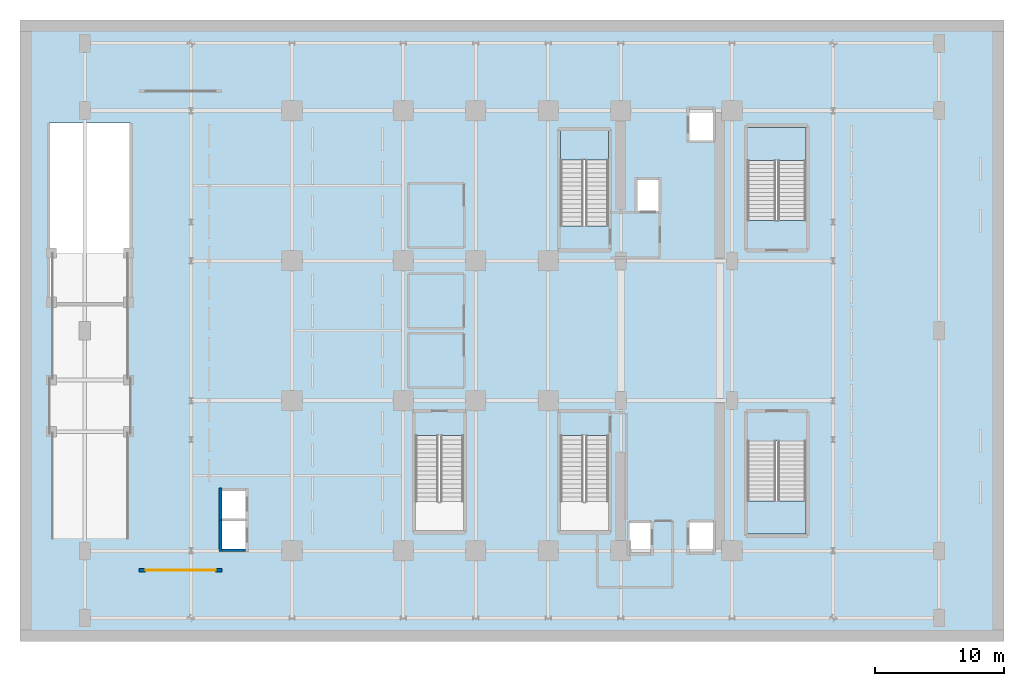
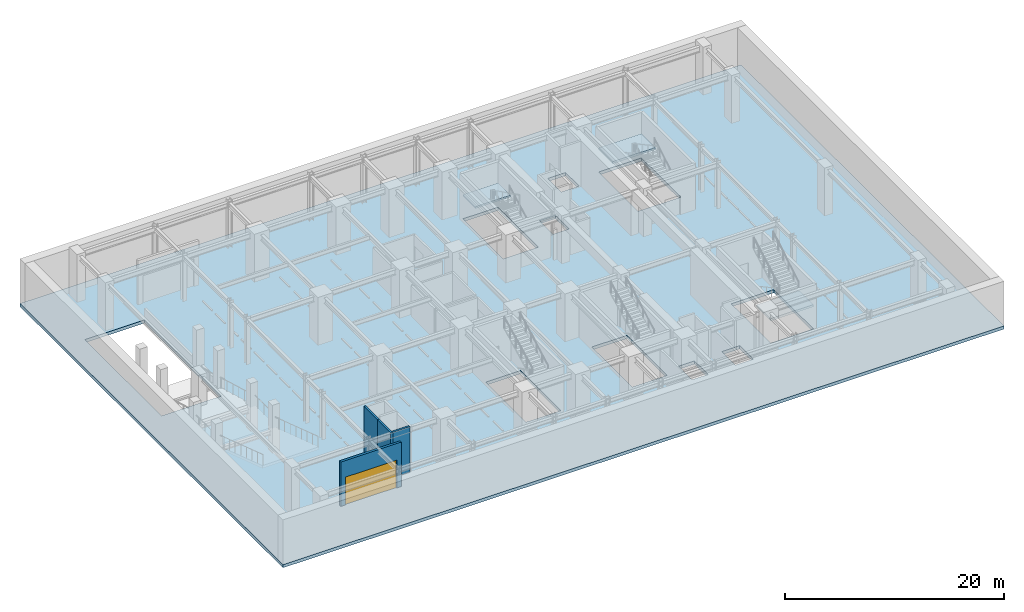
# One storey, part 4 of 10: 4 slabs, 4 walls, 1 door, 1 opening, 3 elements without a shape of their own.
"""IFC4 building model written with IfcOpenShell, lengths in metres."""

from ifc_helpers import new_model, si_unit, direction, frame, frame_2d, origin, place, context, subcontext, project, spatial, polyline, rectangle, outline, extrude, source, transform, mapped, material, layer, layer_set, type_object, element, fill, aggregate, save


model = new_model("IFC4")

# Units and contexts
model_context = context("Model", 3, precision=1e-05, world=origin(), true_north=direction((0.0, 1.0)))
body_context = subcontext(model_context, "Body", "Model", "MODEL_VIEW")
ifc_project = project(units=[si_unit("LENGTHUNIT", "METRE"), si_unit("AREAUNIT", "SQUARE_METRE"), si_unit("VOLUMEUNIT", "CUBIC_METRE"), si_unit("PLANEANGLEUNIT", "RADIAN"), si_unit("MASSUNIT", "GRAM", prefix="KILO")], contexts=[model_context])

# Site, building, storey
site_placement = place(None, origin())
site = spatial("IfcSite", under=ifc_project, at=site_placement, CompositionType="ELEMENT")
building_placement = place(site_placement, origin())
building = spatial("IfcBuilding", under=site, at=building_placement, Name="Nahalor Promenade Grand Hotel", CompositionType="ELEMENT")
storey_placement = place(building_placement, frame((0.0, 0.0, -5.39990234375)))
storey = spatial("IfcBuildingStorey", under=building, at=storey_placement, Name="B01", CompositionType="ELEMENT", Elevation=-5.39990234375)

# Stair, slab
ifc_material_1 = material(Name="Concrete B-50 (C40/50)", Category="concrete")
stair_type_1 = type_object("IfcStairType", Name="Stair-ST1", PredefinedType="HALF_TURN_STAIR", material=ifc_material_1)
stair_1_placement = place(storey_placement, origin())
stair_1 = element("IfcStair", 1, at=stair_1_placement, inside=storey, type_object=stair_type_1, Name="B01 ST1", PredefinedType="HALF_TURN_STAIR")
ifc_layer_1 = layer(ifc_material_1, 0.199951171875)
ifc_layer_set_1 = layer_set([ifc_layer_1], Name="Concrete B-50 (C40/50)")
slab_type_1 = type_object("IfcSlabType", Name="Landing-ST1", PredefinedType="LANDING", material=ifc_layer_set_1)
slab_1_placement = place(storey_placement, frame((0.0, 0.0, 2.5)))
slab_1 = element("IfcSlab", 2, at=slab_1_placement, type_object=slab_type_1, Name="ST1 landing 1", PredefinedType="LANDING", context=body_context, shape_type="SweptSolid", body=[
    extrude(outline(polyline([(7.449951171875, 13.199951171875), (7.449951171875, 15.449951171875), (3.75, 15.449951171875), (3.75, 13.199951171875), (7.449951171875, 13.199951171875)])), origin(), (0.0, 0.0, 1.0), 0.199951171875),
])
aggregate(stair_1, [slab_1])

stair_type_2 = type_object("IfcStairType", Name="Stair-ST4", PredefinedType="HALF_TURN_STAIR", material=ifc_material_1)
stair_2_placement = place(storey_placement, origin())
stair_2 = element("IfcStair", 3, at=stair_2_placement, inside=storey, type_object=stair_type_2, Name="B01 ST4", PredefinedType="HALF_TURN_STAIR")
ifc_layer_2 = layer(ifc_material_1, 0.239990234375)
ifc_layer_set_2 = layer_set([ifc_layer_2], Name="Concrete B-50 (C40/50)")
slab_type_2 = type_object("IfcSlabType", Name="Landing-ST4", PredefinedType="LANDING", material=ifc_layer_set_2)
slab_2_placement = place(storey_placement, frame((0.0, 0.0, 2.4599609375)))
slab_2 = element("IfcSlab", 4, at=slab_2_placement, type_object=slab_type_2, Name="ST4 landing 1", PredefinedType="LANDING", context=body_context, shape_type="SweptSolid", body=[
    extrude(outline(polyline([(22.699951171875, 13.14990234375), (22.699951171875, 15.699951171875), (18.199951171875, 15.699951171875), (18.199951171875, 13.14990234375), (22.699951171875, 13.14990234375)])), origin(), (0.0, 0.0, 1.0), 0.239990234375),
])
aggregate(stair_2, [slab_2])

stair_type_3 = type_object("IfcStairType", Name="Stair-ST5", PredefinedType="HALF_TURN_STAIR", material=ifc_material_1)
stair_3_placement = place(storey_placement, origin())
stair_3 = element("IfcStair", 5, at=stair_3_placement, inside=storey, type_object=stair_type_3, Name="B01 ST5", PredefinedType="HALF_TURN_STAIR")
ifc_layer_3 = layer(ifc_material_1, 0.25)
ifc_layer_set_3 = layer_set([ifc_layer_3], Name="Concrete B-50 (C40/50)")
slab_type_3 = type_object("IfcSlabType", Name="Landing-ST5", PredefinedType="LANDING", material=ifc_layer_set_3)
slab_3_placement = place(storey_placement, frame((0.0, 0.0, 2.449951171875)))
slab_3 = element("IfcSlab", 6, at=slab_3_placement, type_object=slab_type_3, Name="ST5 landing 1", PredefinedType="LANDING", context=body_context, shape_type="SweptSolid", body=[
    extrude(outline(polyline([(18.199951171875, -13.14990234375), (18.199951171875, -15.699951171875), (22.699951171875, -15.699951171875), (22.699951171875, -13.14990234375), (18.199951171875, -13.14990234375)])), origin(), (0.0, 0.0, 1.0), 0.25),
])
aggregate(stair_3, [slab_3])

# Slab
ifc_layer_4 = layer(ifc_material_1, 0.35009765625)
ifc_layer_set_4 = layer_set([ifc_layer_4], Name="Concrete B-50 (C40/50)")
slab_type_4 = type_object("IfcSlabType", Name="Slab-Basement-350", PredefinedType="FLOOR", material=ifc_layer_set_4)
slab_4_placement = place(storey_placement, frame((0.0, 0.0, -0.35009765625)))
element("IfcSlab", 7, at=slab_4_placement, inside=storey, type_object=slab_type_4, Name="B01 Suspended Structural Floor Slab", PredefinedType="FLOOR", context=body_context, shape_type="SweptSolid", body=[
    extrude(outline(polyline([(-38.0, -24.0), (38.0, -24.0), (38.0, 24.0), (-38.0, 24.0), (-38.0, -24.0)]), holes=[polyline([(3.75, 8.10009765625), (7.449951171875, 8.10009765625), (7.449951171875, 15.449951171875), (3.75, 15.449951171875), (3.75, 8.10009765625)]), polyline([(3.75, -15.449951171875), (7.449951171875, -15.449951171875), (7.449951171875, -8.10009765625), (3.75, -8.10009765625), (3.75, -15.449951171875)]), polyline([(-7.449951171875, -15.449951171875), (-3.75, -15.449951171875), (-3.75, -8.10009765625), (-7.449951171875, -8.10009765625), (-7.449951171875, -15.449951171875)]), polyline([(18.199951171875, 8.5), (22.699951171875, 8.5), (22.699951171875, 15.699951171875), (18.199951171875, 15.699951171875), (18.199951171875, 8.5)]), polyline([(18.199951171875, -15.699951171875), (22.699951171875, -15.699951171875), (22.699951171875, -8.5), (18.199951171875, -8.5), (18.199951171875, -15.699951171875)]), polyline([(9.659912109375, 9.2099609375), (11.340087890625, 9.2099609375), (11.340087890625, 11.68994140625), (9.659912109375, 11.68994140625), (9.659912109375, 9.2099609375)]), polyline([(9.06005859375, -17.18994140625), (10.739990234375, -17.18994140625), (10.739990234375, -14.7099609375), (9.06005859375, -14.7099609375), (9.06005859375, -17.18994140625)]), polyline([(13.659912109375, 14.659912109375), (15.5400390625, 14.659912109375), (15.5400390625, 17.139892578125), (13.659912109375, 17.139892578125), (13.659912109375, 14.659912109375)]), polyline([(13.659912109375, -17.139892578125), (15.5400390625, -17.139892578125), (15.5400390625, -14.659912109375), (13.659912109375, -14.659912109375), (13.659912109375, -17.139892578125)]), polyline([(-22.43994140625, -16.889892578125), (-20.56005859375, -16.889892578125), (-20.56005859375, -14.7099609375), (-22.43994140625, -14.7099609375), (-22.43994140625, -16.889892578125)]), polyline([(-22.43994140625, -14.489990234375), (-20.56005859375, -14.489990234375), (-20.56005859375, -12.31005859375), (-22.43994140625, -12.31005859375), (-22.43994140625, -14.489990234375)]), polyline([(-35.75, 2.050048828125), (-29.449951171875, 2.050048828125), (-29.449951171875, 16.050048828125), (-35.75, 16.050048828125), (-35.75, 2.050048828125)])]), origin(), (0.0, 0.0, 1.0), 0.35009765625),
])

# Walls
ifc_layer_5 = layer(ifc_material_1, 0.219970703125)
ifc_layer_set_5 = layer_set([ifc_layer_5], Name="Concrete B-50 (C40/50)")
wall_type_1 = type_object("IfcWallType", Name="Wall-LiftShaft-220", PredefinedType="SHEAR", material=ifc_layer_set_5)
shared_shape_1 = source(origin(), body_context, "Body", "SweptSolid", [
    extrude(rectangle(XDim=2.4599609375, YDim=0.219970703125, at=frame_2d((1.22998046875, 0.0))), origin(), (0.0, 0.0, 1.0), 5.079833984375),
])
wall_1_placement = place(storey_placement, frame((-22.52001953125, -17.06005859375, 0.0), z_axis=(0.0, 0.0, 1.0), x_axis=(0.0, 1.0, 0.0)))
element("IfcWall", 8, at=wall_1_placement, inside=storey, type_object=wall_type_1, Name="B01 Lift PD1 Hoistway Wall W", PredefinedType="SHEAR", context=body_context, shape_type="MappedRepresentation", body=[
    mapped(shared_shape_1, transform((0.0, 0.0, 0.0), scale=1.0)),
])
shared_shape_2 = source(origin(), body_context, "Body", "SweptSolid", [
    extrude(rectangle(XDim=1.81982421875, YDim=0.219970703125, at=frame_2d((0.909912109375, 0.0))), origin(), (0.0, 0.0, 1.0), 5.079833984375),
])
wall_2_placement = place(storey_placement, frame((-22.409912109375, -16.949951171875, 0.0), z_axis=(0.0, 0.0, 1.0), x_axis=(1.0, 0.0, 0.0)))
element("IfcWall", 9, at=wall_2_placement, inside=storey, type_object=wall_type_1, Name="B01 Lift PD1 Hoistway Wall S", PredefinedType="SHEAR", context=body_context, shape_type="MappedRepresentation", body=[
    mapped(shared_shape_2, transform((0.0, 0.0, 0.0), scale=1.0)),
])
shared_shape_3 = source(origin(), body_context, "Body", "SweptSolid", [
    extrude(rectangle(XDim=2.460205078125, YDim=0.219970703125, at=frame_2d((1.22998046875, 0.0))), origin(), (0.0, 0.0, 1.0), 5.079833984375),
])
wall_3_placement = place(storey_placement, frame((-22.52001953125, -14.60009765625, 0.0), z_axis=(0.0, 0.0, 1.0), x_axis=(0.0, 1.0, 0.0)))
element("IfcWall", 10, at=wall_3_placement, inside=storey, type_object=wall_type_1, Name="B01 Lift PD2 Hoistway Wall W", PredefinedType="SHEAR", context=body_context, shape_type="MappedRepresentation", body=[
    mapped(shared_shape_3, transform((0.0, 0.0, 0.0), scale=1.0)),
])

# Wall, opening, door
ifc_layer_6 = layer(ifc_material_1, 0.25)
ifc_layer_set_6 = layer_set([ifc_layer_6], Name="Concrete B-50 (C40/50)")
wall_type_2 = type_object("IfcWallType", Name="Wall-RampKerb-250", PredefinedType="PARTITIONING", material=ifc_layer_set_6)
shared_shape_4 = source(origin(), body_context, "Body", "SweptSolid", [
    extrude(rectangle(XDim=6.400146484375, YDim=0.25, at=frame_2d((3.2001953125, 0.0))), origin(), (0.0, 0.0, 1.0), 4.949951171875),
])
wall_4_placement = place(storey_placement, frame((-28.800048828125, -18.5, 0.0), z_axis=(0.0, 0.0, 1.0), x_axis=(1.0, 0.0, 0.0)))
wall_4 = element("IfcWall", 11, at=wall_4_placement, inside=storey, type_object=wall_type_2, Name="B01 Car Park Smoke Compartment Wall 3", PredefinedType="PARTITIONING", context=body_context, shape_type="MappedRepresentation", body=[
    mapped(shared_shape_4, transform((0.0, 0.0, 0.0), scale=1.0)),
])
opening_placement = place(wall_4_placement, frame((0.5, 0.0, 0.0)))
opening = element("IfcOpeningElement", 12, at=opening_placement, cuts=wall_4, Name="Opening RG-01", PredefinedType="OPENING", context=body_context, shape_type="SweptSolid", body=[
    extrude(rectangle(XDim=5.39990234375, YDim=3.10009765625, at=frame_2d((2.699951171875, 1.550048828125))), frame((0.0, 0.135009765625, 0.0), z_axis=(0.0, -1.0, 0.0), x_axis=(1.0, 0.0, 0.0)), (0.0, 0.0, 1.0), 0.27001953125),
])
ifc_material_2 = material(Name="Steel S355JR", Category="steel")
door_type = type_object("IfcDoorType", Name="Door-BasementGate-5400", OperationType="ROLLINGUP", PredefinedType="GATE", material=ifc_material_2)
shared_shape_5 = source(origin(), body_context, "Body", "SweptSolid", [
    extrude(rectangle(XDim=5.39990234375, YDim=3.10009765625, at=frame_2d((2.699951171875, 1.550048828125))), frame((0.0, 0.02490234375, 0.0), z_axis=(0.0, -1.0, 0.0), x_axis=(1.0, 0.0, 0.0)), (0.0, 0.0, 1.0), 0.050048828125),
])
door_placement = place(opening_placement, origin())
door = element("IfcDoor", 13, at=door_placement, inside=storey, type_object=door_type, Name="DR-BGATE-B01-3", OperationType="ROLLINGUP", OverallHeight=3.10009765625, OverallWidth=5.39990234375, PredefinedType="GATE", context=body_context, shape_type="MappedRepresentation", body=[
    mapped(shared_shape_5, transform((0.0, 0.0, 0.0), scale=1.0)),
])
fill(opening, door)

save(model, "model.ifc")
